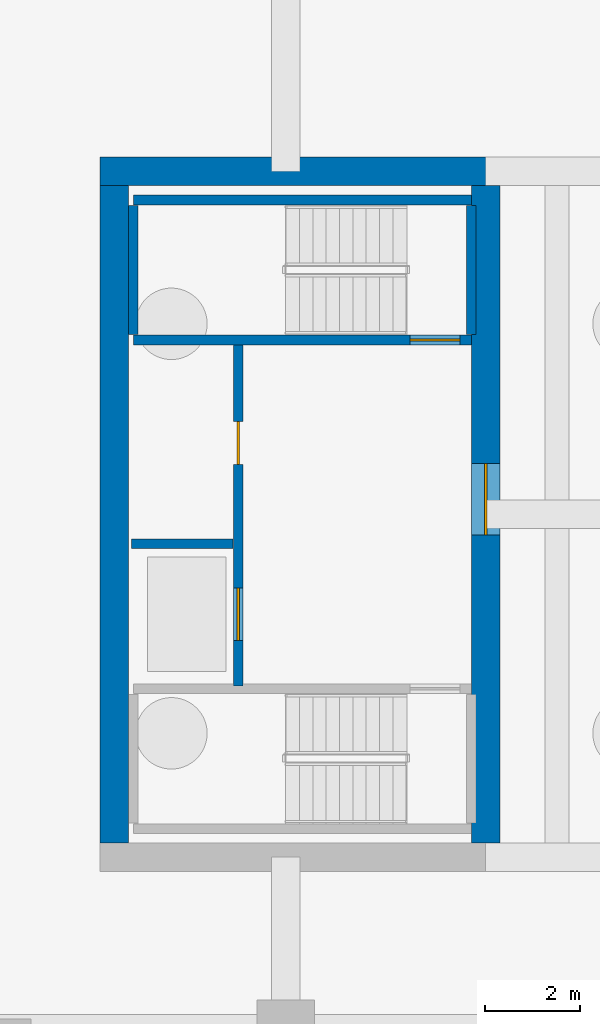
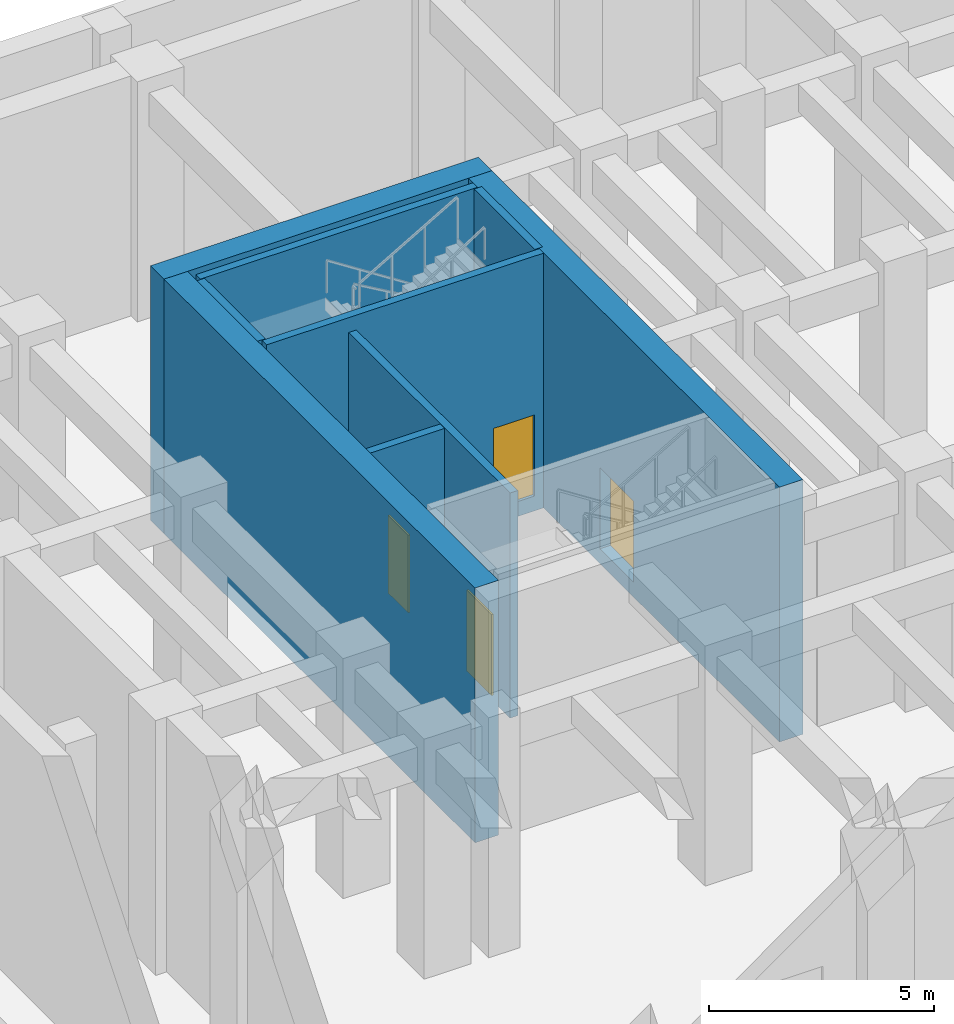
# One storey, part 7 of 13: 9 walls, 4 doors, 4 openings.
"""IFC4 building model written with IfcOpenShell, lengths in metres."""

from ifc_helpers import new_model, si_unit, derived_unit, direction, frame, frame_2d, origin, place, context, subcontext, project, spatial, rectangle, extrude, source, transform, mapped, material, layer, layer_set, type_object, type_shapes, element, fill, save


model = new_model("IFC4")

# Units and contexts
model_context = context("Model", 3, precision=1e-05, world=origin(), true_north=direction((0.0, 1.0)))
body_context = subcontext(model_context, "Body", "Model", "MODEL_VIEW")
ifc_project = project(units=[si_unit("LENGTHUNIT", "METRE"), si_unit("AREAUNIT", "SQUARE_METRE"), si_unit("VOLUMEUNIT", "CUBIC_METRE"), si_unit("PLANEANGLEUNIT", "RADIAN"), si_unit("MASSUNIT", "GRAM", prefix="KILO"), si_unit("THERMODYNAMICTEMPERATUREUNIT", "KELVIN"), si_unit("POWERUNIT", "WATT"), derived_unit("THERMALTRANSMITTANCEUNIT", [(si_unit("POWERUNIT", "WATT"), 1), (si_unit("AREAUNIT", "SQUARE_METRE"), -1), (si_unit("THERMODYNAMICTEMPERATUREUNIT", "KELVIN"), -1)])], contexts=[model_context])

# Site, building, storey
site_placement = place(None, origin())
site = spatial("IfcSite", under=ifc_project, at=site_placement, CompositionType="ELEMENT")
building_placement = place(site_placement, origin())
building = spatial("IfcBuilding", under=site, at=building_placement, Name="Zahravan Archway Hotel and Residences", CompositionType="ELEMENT")
storey_placement = place(building_placement, frame((0.0, 0.0, -13.0)))
storey = spatial("IfcBuildingStorey", under=building, at=storey_placement, Name="B02", CompositionType="ELEMENT", Elevation=-13.0)

# Walls
ifc_material_1 = material(Name="Concrete C70/85", Category="concrete")
ifc_layer_1 = layer(ifc_material_1, 0.60009765625, Name="Concrete C70/85", Category="concrete")
ifc_layer_set_1 = layer_set([ifc_layer_1], Name="Concrete C70/85")
wall_type_1 = type_object("IfcWallType", Name="CW-CORE-600", PredefinedType="SHEAR", material=ifc_layer_set_1)
wall_1_placement = place(storey_placement, frame((3.300048828125, 39.60009765625, -0.39990234375), z_axis=(0.0, 0.0, 1.0), x_axis=(1.0, 0.0, 0.0)))
element("IfcWall", 1, at=wall_1_placement, inside=storey, type_object=wall_type_1, Name="B02 Core B Shear N Wall 600 mm", PredefinedType="SHEAR", context=body_context, shape_type="SweptSolid", body=[
    extrude(rectangle(XDim=8.39990234375, YDim=0.60009765625, at=frame_2d((4.199951171875, 0.0))), origin(), (0.0, 0.0, 1.0), 6.89990234375),
])
wall_2_placement = place(storey_placement, frame((3.60009765625, 25.5, -0.39990234375), z_axis=(0.0, 0.0, 1.0), x_axis=(0.0, 1.0, 0.0)))
element("IfcWall", 2, at=wall_2_placement, inside=storey, type_object=wall_type_1, Name="B02 Core B Shear W Wall 600 mm", PredefinedType="SHEAR", context=body_context, shape_type="SweptSolid", body=[
    extrude(rectangle(XDim=13.800048828125, YDim=0.60009765625, at=frame_2d((6.89990234375, 0.0))), origin(), (0.0, 0.0, 1.0), 6.89990234375),
])

# Wall, opening, door
wall_3_placement = place(storey_placement, frame((11.39990234375, 25.5, -0.39990234375), z_axis=(0.0, 0.0, 1.0), x_axis=(0.0, 1.0, 0.0)))
wall_3 = element("IfcWall", 3, at=wall_3_placement, inside=storey, type_object=wall_type_1, Name="B02 Core B Shear E Wall 600 mm", PredefinedType="SHEAR", context=body_context, shape_type="SweptSolid", body=[
    extrude(rectangle(XDim=13.800048828125, YDim=0.60009765625, at=frame_2d((6.89990234375, 0.0))), origin(), (0.0, 0.0, 1.0), 6.89990234375),
])
opening_1_placement = place(wall_3_placement, frame((6.469970703125, 0.0, 0.39990234375)))
opening_1 = element("IfcOpeningElement", 4, at=opening_1_placement, cuts=wall_3, Name="Opening FD-L1", PredefinedType="OPENING", context=body_context, shape_type="SweptSolid", body=[
    extrude(rectangle(XDim=1.5, YDim=2.199951171875, at=frame_2d((0.75, 1.10009765625))), frame((0.0, 0.31005859375, 0.0), z_axis=(0.0, -1.0, 0.0), x_axis=(1.0, 0.0, 0.0)), (0.0, 0.0, 1.0), 0.6201171875),
])
ifc_material_2 = material(Name="Fire-Rated Painted Steel", Category="steel")
door_type_1 = type_object("IfcDoorType", Name="FD-LOBBY-1500", OperationType="DOUBLE_DOOR_SINGLE_SWING", PredefinedType="DOOR", material=ifc_material_2)
shared_shape_1 = source(origin(), body_context, "Body", "SweptSolid", [
    extrude(rectangle(XDim=1.5, YDim=2.199951171875, at=frame_2d((0.75, 1.10009765625))), frame((0.0, 0.02490234375, 0.0), z_axis=(0.0, -1.0, 0.0), x_axis=(1.0, 0.0, 0.0)), (0.0, 0.0, 1.0), 0.050048828125),
])
type_shapes(door_type_1, [shared_shape_1])
door_1_placement = place(opening_1_placement, origin())
door_1 = element("IfcDoor", 5, at=door_1_placement, inside=storey, type_object=door_type_1, Name="B02 Core B FSAE Lobby Door", OperationType="DOUBLE_DOOR_SINGLE_SWING", OverallHeight=2.199951171875, OverallWidth=1.5, PredefinedType="DOOR", context=body_context, shape_type="MappedRepresentation", body=[
    mapped(shared_shape_1, transform((0.0, 0.0, 0.0), scale=1.0)),
])
fill(opening_1, door_1)

# Wall, openings, doors
ifc_material_3 = material(Name="Fire-Rated Gypsum & Concrete Block", Category="concrete")
ifc_layer_2 = layer(ifc_material_3, 0.199951171875, Name="Fire-Rated Gypsum & Concrete Block", Category="concrete")
ifc_layer_set_2 = layer_set([ifc_layer_2], Name="Fire-Rated Gypsum & Concrete Block")
wall_type_2 = type_object("IfcWallType", Name="PW-SHAFT-200", PredefinedType="PARTITIONING", material=ifc_layer_set_2)
wall_4_placement = place(storey_placement, frame((6.199951171875, 28.7900390625, 0.0), z_axis=(0.0, 0.0, 1.0), x_axis=(0.0, 1.0, 0.0)))
wall_4 = element("IfcWall", 6, at=wall_4_placement, inside=storey, type_object=wall_type_2, Name="B02 Partition CB-FL3E", PredefinedType="PARTITIONING", context=body_context, shape_type="SweptSolid", body=[
    extrude(rectangle(XDim=7.219970703125, YDim=0.199951171875, at=frame_2d((3.60986328125, 0.0))), origin(), (0.0, 0.0, 1.0), 6.10009765625),
])
opening_2_placement = place(wall_4_placement, frame((4.659912109375, 0.0, 0.0)))
opening_2 = element("IfcOpeningElement", 7, at=opening_2_placement, cuts=wall_4, Name="Opening FD-R1", PredefinedType="OPENING", context=body_context, shape_type="SweptSolid", body=[
    extrude(rectangle(XDim=0.89990234375, YDim=2.10009765625, at=frame_2d((0.449951171875, 1.050048828125))), frame((0.0, 0.10986328125, 0.0), z_axis=(0.0, -1.0, 0.0), x_axis=(1.0, 0.0, 0.0)), (0.0, 0.0, 1.0), 0.219970703125),
])
opening_3_placement = place(wall_4_placement, frame((0.9599609375, 0.0, 0.0)))
opening_3 = element("IfcOpeningElement", 8, at=opening_3_placement, cuts=wall_4, Name="Opening LD", PredefinedType="OPENING", context=body_context, shape_type="SweptSolid", body=[
    extrude(rectangle(XDim=1.10009765625, YDim=2.199951171875, at=frame_2d((0.550048828125, 1.10009765625))), frame((0.0, 0.10986328125, 0.0), z_axis=(0.0, -1.0, 0.0), x_axis=(1.0, 0.0, 0.0)), (0.0, 0.0, 1.0), 0.219970703125),
])
door_type_2 = type_object("IfcDoorType", Name="FD-RISER-900", OperationType="NOTDEFINED", PredefinedType="DOOR", material=ifc_material_2)
shared_shape_2 = source(origin(), body_context, "Body", "SweptSolid", [
    extrude(rectangle(XDim=0.89990234375, YDim=2.10009765625, at=frame_2d((0.449951171875, 1.050048828125))), frame((0.0, 0.02490234375, 0.0), z_axis=(0.0, -1.0, 0.0), x_axis=(1.0, 0.0, 0.0)), (0.0, 0.0, 1.0), 0.050048828125),
])
type_shapes(door_type_2, [shared_shape_2])
door_2_placement = place(opening_2_placement, origin())
door_2 = element("IfcDoor", 9, at=door_2_placement, inside=storey, type_object=door_type_2, Name="B02 Core B Riser Door", OperationType="SINGLE_SWING_LEFT", OverallHeight=2.10009765625, OverallWidth=0.89990234375, PredefinedType="DOOR", context=body_context, shape_type="MappedRepresentation", body=[
    mapped(shared_shape_2, transform((0.0, 0.0, 0.0), scale=1.0)),
])
fill(opening_2, door_2)
ifc_material_4 = material(Name="Brushed Stainless Steel", Category="steel")
door_type_3 = type_object("IfcDoorType", Name="DR-LIFT-LD", OperationType="SLIDING_TO_LEFT", PredefinedType="DOOR", material=ifc_material_4)
shared_shape_3 = source(origin(), body_context, "Body", "SweptSolid", [
    extrude(rectangle(XDim=1.10009765625, YDim=2.199951171875, at=frame_2d((0.550048828125, 1.10009765625))), frame((0.0, 0.02490234375, 0.0), z_axis=(0.0, -1.0, 0.0), x_axis=(1.0, 0.0, 0.0)), (0.0, 0.0, 1.0), 0.050048828125),
])
type_shapes(door_type_3, [shared_shape_3])
door_3_placement = place(opening_3_placement, origin())
door_3 = element("IfcDoor", 10, at=door_3_placement, inside=storey, type_object=door_type_3, Name="B02 Lift FL-3 Sliding Landing Door", OperationType="SLIDING_TO_LEFT", OverallHeight=2.199951171875, OverallWidth=1.10009765625, PredefinedType="DOOR", context=body_context, shape_type="MappedRepresentation", body=[
    mapped(shared_shape_3, transform((0.0, 0.0, 0.0), scale=1.0)),
])
fill(opening_3, door_3)

# Walls
wall_5_placement = place(storey_placement, frame((3.9599609375, 31.780029296875, 0.0), z_axis=(0.0, 0.0, 1.0), x_axis=(1.0, 0.0, 0.0)))
element("IfcWall", 11, at=wall_5_placement, inside=storey, type_object=wall_type_2, Name="B02 Partition CB-FL3N", PredefinedType="PARTITIONING", context=body_context, shape_type="SweptSolid", body=[
    extrude(rectangle(XDim=2.130126953125, YDim=0.199951171875, at=frame_2d((1.06494140625, 0.0))), origin(), (0.0, 0.0, 1.0), 6.10009765625),
])
ifc_material_5 = material(Name="Concrete C50/60", Category="concrete")
ifc_layer_3 = layer(ifc_material_5, 0.199951171875, Name="Concrete C50/60", Category="concrete")
ifc_layer_set_3 = layer_set([ifc_layer_3], Name="Concrete C50/60")
wall_type_3 = type_object("IfcWallType", Name="SW-STAIR-200", PredefinedType="SHEAR", material=ifc_layer_set_3)
wall_6_placement = place(storey_placement, frame((4.0, 39.0, -0.39990234375), z_axis=(0.0, 0.0, 1.0), x_axis=(1.0, 0.0, 0.0)))
element("IfcWall", 12, at=wall_6_placement, inside=storey, type_object=wall_type_3, Name="B02 Stairwell RC Wall CB-SB2N", PredefinedType="SHEAR", context=body_context, shape_type="SweptSolid", body=[
    extrude(rectangle(XDim=7.10009765625, YDim=0.199951171875, at=frame_2d((3.550048828125, 0.0))), origin(), (0.0, 0.0, 1.0), 6.89990234375),
])
for number, where, z_axis, x_axis, name in (
    (13, (4.0, 36.179931640625, -0.39990234375), (0.0, 0.0, 1.0), (0.0, 1.0, 0.0), "B02 Stairwell RC Wall CB-SB2W"),
    (14, (11.10009765625, 36.179931640625, -0.39990234375), (0.0, 0.0, 1.0), (0.0, 1.0, 0.0), "B02 Stairwell RC Wall CB-SB2E"),
):
    element("IfcWall", number, at=place(storey_placement, frame(where, z_axis=z_axis, x_axis=x_axis)), inside=storey, type_object=wall_type_3, Name=name, PredefinedType="SHEAR", context=body_context, shape_type="SweptSolid", body=[
        extrude(rectangle(XDim=2.699951171875, YDim=0.199951171875, at=frame_2d((1.35009765625, 0.0))), origin(), (0.0, 0.0, 1.0), 6.89990234375),
    ])

# Wall, opening, door
wall_7_placement = place(storey_placement, frame((4.0, 36.06005859375, -0.39990234375), z_axis=(0.0, 0.0, 1.0), x_axis=(1.0, 0.0, 0.0)))
wall_7 = element("IfcWall", 15, at=wall_7_placement, inside=storey, type_object=wall_type_3, Name="B02 Stairwell RC Wall CB-SB2S", PredefinedType="SHEAR", context=body_context, shape_type="SweptSolid", body=[
    extrude(rectangle(XDim=7.10009765625, YDim=0.199951171875, at=frame_2d((3.550048828125, 0.0))), origin(), (0.0, 0.0, 1.0), 6.89990234375),
])
opening_4_placement = place(wall_7_placement, frame((5.81494140625, 0.0, 0.39990234375)))
opening_4 = element("IfcOpeningElement", 16, at=opening_4_placement, cuts=wall_7, Name="Opening FD-S1", PredefinedType="OPENING", context=body_context, shape_type="SweptSolid", body=[
    extrude(rectangle(XDim=1.050048828125, YDim=2.199951171875, at=frame_2d((0.52490234375, 1.10009765625))), frame((0.0, 0.10986328125, 0.0), z_axis=(0.0, -1.0, 0.0), x_axis=(1.0, 0.0, 0.0)), (0.0, 0.0, 1.0), 0.219970703125),
])
door_type_4 = type_object("IfcDoorType", Name="FD-STAIR-1100", OperationType="NOTDEFINED", PredefinedType="DOOR", material=ifc_material_2)
shared_shape_4 = source(origin(), body_context, "Body", "SweptSolid", [
    extrude(rectangle(XDim=1.050048828125, YDim=2.199951171875, at=frame_2d((0.52490234375, 1.10009765625))), frame((0.0, 0.02490234375, 0.0), z_axis=(0.0, -1.0, 0.0), x_axis=(1.0, 0.0, 0.0)), (0.0, 0.0, 1.0), 0.050048828125),
])
type_shapes(door_type_4, [shared_shape_4])
door_4_placement = place(opening_4_placement, origin())
door_4 = element("IfcDoor", 17, at=door_4_placement, inside=storey, type_object=door_type_4, Name="B02 Stair ST-B2 Door", OperationType="SINGLE_SWING_RIGHT", OverallHeight=2.199951171875, OverallWidth=1.050048828125, PredefinedType="DOOR", context=body_context, shape_type="MappedRepresentation", body=[
    mapped(shared_shape_4, transform((0.0, 0.0, 0.0), scale=1.0)),
])
fill(opening_4, door_4)

save(model, "model.ifc")
